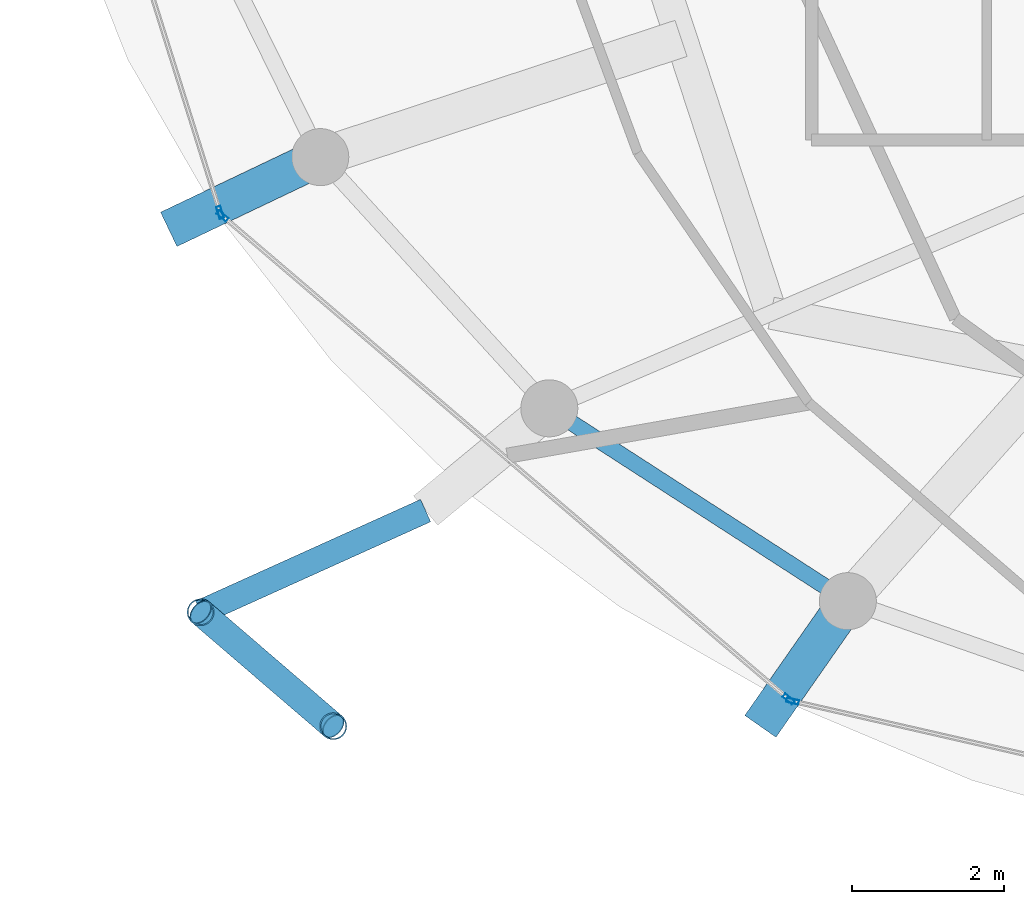
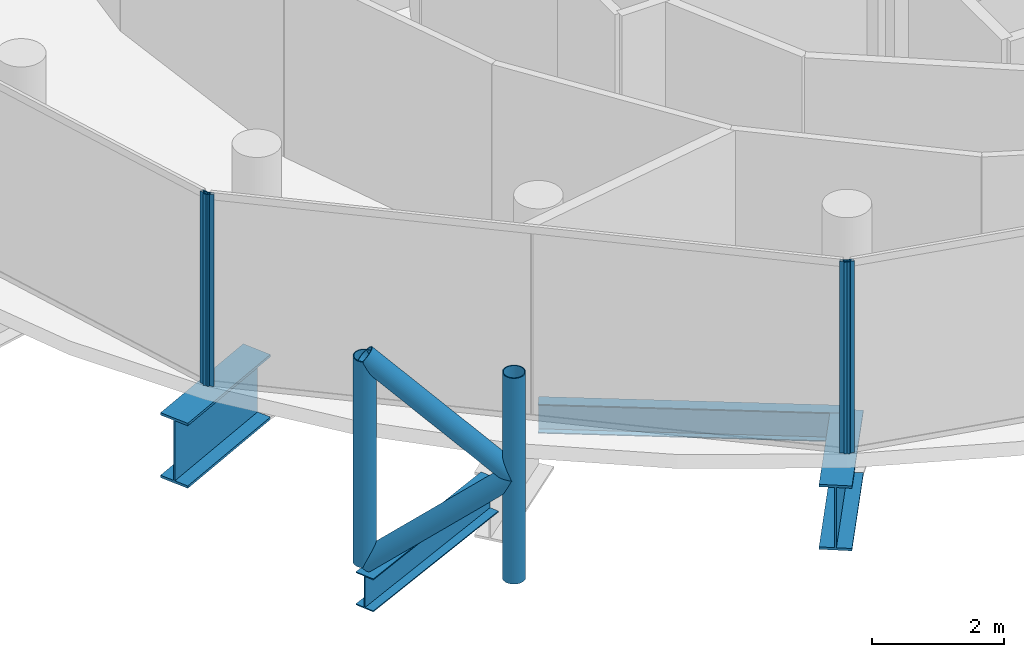
# One storey, part 2 of 25: 8 members, 4 beams, 3 elements without a shape of their own.
"""IFC4 building model written with IfcOpenShell, lengths in metres."""

from ifc_helpers import new_model, si_unit, direction, frame, origin, origin_2d, place, context, subcontext, project, spatial, hollow_rectangle, hollow_circle, i_section, extrude, material, layer, layer_set, material_profile, profile_set, type_object, element, aggregate, save


model = new_model("IFC4")

# Units and contexts
model_context = context("Model", 3, precision=1e-05, world=origin(), true_north=direction((0.0, 1.0)))
body_context = subcontext(model_context, "Body", "Model", "MODEL_VIEW")
ifc_project = project(units=[si_unit("LENGTHUNIT", "METRE"), si_unit("AREAUNIT", "SQUARE_METRE"), si_unit("VOLUMEUNIT", "CUBIC_METRE"), si_unit("PLANEANGLEUNIT", "RADIAN"), si_unit("MASSUNIT", "GRAM", prefix="KILO")], contexts=[model_context])

# Site, building, storey
site_placement = place(None, origin())
site = spatial("IfcSite", under=ifc_project, at=site_placement, CompositionType="ELEMENT")
building_placement = place(site_placement, origin())
building = spatial("IfcBuilding", under=site, at=building_placement, Name="Nuhasar Tower", CompositionType="ELEMENT")
storey_placement = place(building_placement, frame((0.0, 0.0, 255.60009765625)))
storey = spatial("IfcBuildingStorey", under=building, at=storey_placement, Name="L63", CompositionType="ELEMENT", Elevation=255.60009765625)

# Beams
ifc_material_1 = material(Name="Steel S355", Category="steel")
ifc_material_profile_1 = material_profile(ifc_material_1, i_section(OverallWidth=0.2099609375, OverallDepth=0.537109375, WebThickness=0.010986328125, FlangeThickness=0.017333984375, at=origin_2d()), Name="W21X68")
ifc_profile_set_1 = profile_set([ifc_material_profile_1], Name="Steel S355")
beam_type_1 = type_object("IfcBeamType", Name="BM-RING-W21X68", PredefinedType="SPANDREL", material=ifc_profile_set_1)
beam_1_placement = place(storey_placement, frame((25.60009765625, 15.52197265625, -0.528076171875), z_axis=(0.840025485934, -0.542546940809, 0.0), x_axis=(0.542546940809, 0.840025485934, 0.0)))
element("IfcBeam", 1, at=beam_1_placement, inside=storey, type_object=beam_type_1, Name="L63 Perimeter Ring Spandrel 16", PredefinedType="SPANDREL", context=body_context, shape_type="SweptSolid", body=[
    extrude(i_section(OverallWidth=0.2099609375, OverallDepth=0.537109375, WebThickness=0.010986328125, FlangeThickness=0.017333984375, at=origin_2d()), origin(), (0.0, 0.0, 1.0), 4.67236328125),
])
ifc_material_profile_2 = material_profile(ifc_material_1, i_section(OverallWidth=0.323974609375, OverallDepth=0.611083984375, WebThickness=0.0126953125, FlangeThickness=0.01904296875, at=origin_2d()), Name="W24X104")
ifc_profile_set_2 = profile_set([ifc_material_profile_2], Name="Steel S355")
beam_type_2 = type_object("IfcBeamType", Name="BM-TIE-W24X104", PredefinedType="BEAM", material=ifc_profile_set_2)
beam_2_placement = place(storey_placement, frame((23.97412109375, 14.177978515625, -0.565185546875), z_axis=(-0.911363318082, -0.411602845538, 0.0), x_axis=(0.411602845538, -0.911363318082, 0.0)))
element("IfcBeam", 2, at=beam_2_placement, inside=storey, type_object=beam_type_2, Name="L63 Exoskeleton Node Tie Beam 08", PredefinedType="BEAM", context=body_context, shape_type="SweptSolid", body=[
    extrude(i_section(OverallWidth=0.323974609375, OverallDepth=0.611083984375, WebThickness=0.0126953125, FlangeThickness=0.01904296875, at=origin_2d()), origin(), (0.0, 0.0, 1.0), 3.24560546875),
])
ifc_material_2 = material(Name="Steel S460", Category="steel")
ifc_material_profile_3 = material_profile(ifc_material_2, i_section(OverallWidth=0.5, OverallDepth=1.199951171875, WebThickness=0.02587890625, FlangeThickness=0.044921875, at=origin_2d()), Name="PG1200X500")
ifc_profile_set_3 = profile_set([ifc_material_profile_3], Name="Steel S460")
beam_type_3 = type_object("IfcBeamType", Name="BM-XFER-PG1200", PredefinedType="USERDEFINED", material=ifc_profile_set_3)
beam_3_placement = place(storey_placement, frame((29.52490234375, 12.987060546875, -0.860107421875), z_axis=(-0.57269500694, -0.819768521612, 0.0), x_axis=(0.819768521612, -0.57269500694, 0.0)))
element("IfcBeam", 3, at=beam_3_placement, inside=storey, type_object=beam_type_3, Name="L63 Outer Column Step Transfer Girder 17", ObjectType="GIRDER", PredefinedType="USERDEFINED", context=body_context, shape_type="SweptSolid", body=[
    extrude(i_section(OverallWidth=0.5, OverallDepth=1.199951171875, WebThickness=0.02587890625, FlangeThickness=0.044921875, at=origin_2d()), origin(), (0.0, 0.0, 1.0), 2.0078125),
])
beam_4_placement = place(storey_placement, frame((22.589111328125, 18.824951171875, -0.860107421875), z_axis=(-0.902633434253, -0.430410133906, 0.0), x_axis=(0.430410133906, -0.902633434253, 0.0)))
element("IfcBeam", 4, at=beam_4_placement, inside=storey, type_object=beam_type_3, Name="L63 Outer Column Step Transfer Girder 15", ObjectType="GIRDER", PredefinedType="USERDEFINED", context=body_context, shape_type="SweptSolid", body=[
    extrude(i_section(OverallWidth=0.5, OverallDepth=1.199951171875, WebThickness=0.02587890625, FlangeThickness=0.044921875, at=origin_2d()), origin(), (0.0, 0.0, 1.0), 2.20703125),
])

# Curtain wall, member
ifc_material_3 = material(Name="Aluminium 6063-T6", Category="aluminium")
ifc_layer = layer(ifc_material_3, 0.18994140625)
ifc_layer_set = layer_set([ifc_layer], Name="Aluminium 6063-T6")
curtain_wall_type = type_object("IfcCurtainWallType", Name="CW-Z4-PEN", PredefinedType="NOTDEFINED", material=ifc_layer_set)
curtain_wall_1_placement = place(storey_placement, origin())
curtain_wall_1 = element("IfcCurtainWall", 5, at=curtain_wall_1_placement, inside=storey, type_object=curtain_wall_type, Name="L63 Unitised Curtain Wall 07", PredefinedType="NOTDEFINED")
ifc_material_profile_4 = material_profile(ifc_material_3, hollow_rectangle(XDim=0.06005859375, YDim=0.1650390625, WallThickness=0.0048828125, at=origin_2d()), Name="CWM-5")
ifc_profile_set_4 = profile_set([ifc_material_profile_4], Name="Aluminium 6063-T6")
member_type_1 = type_object("IfcMemberType", Name="CW-MUL-S5", PredefinedType="MULLION", material=ifc_profile_set_4)
member_1_placement = place(storey_placement, frame((21.27197265625, 18.0986328125, 0.0), z_axis=(0.0, 0.0, 1.0), x_axis=(0.954078526601, 0.299556614146, 0.0)))
member_1 = element("IfcMember", 6, at=member_1_placement, type_object=member_type_1, Name="CW-Z4 mullion 2", PredefinedType="MULLION", context=body_context, shape_type="SweptSolid", body=[
    extrude(hollow_rectangle(XDim=0.06005859375, YDim=0.1650390625, WallThickness=0.0048828125, at=origin_2d()), origin(), (0.0, 0.0, 1.0), 3.539794921875),
])
aggregate(curtain_wall_1, [member_1])

# Curtain wall, members
curtain_wall_2_placement = place(storey_placement, origin())
curtain_wall_2 = element("IfcCurtainWall", 7, at=curtain_wall_2_placement, inside=storey, type_object=curtain_wall_type, Name="L63 Unitised Curtain Wall 08", PredefinedType="NOTDEFINED")
member_2_placement = place(storey_placement, frame((21.3037109375, 18.050537109375, 0.0), z_axis=(0.0, 0.0, 1.0), x_axis=(0.649141996205, 0.760667252327, 0.0)))
member_2 = element("IfcMember", 8, at=member_2_placement, type_object=member_type_1, Name="CW-Z4 mullion 1", PredefinedType="MULLION", context=body_context, shape_type="SweptSolid", body=[
    extrude(hollow_rectangle(XDim=0.06005859375, YDim=0.1650390625, WallThickness=0.0048828125, at=origin_2d()), origin(), (0.0, 0.0, 1.0), 3.539794921875),
])
member_3_placement = place(storey_placement, frame((28.7470703125, 11.698486328125, 0.0), z_axis=(0.0, 0.0, 1.0), x_axis=(0.649141996205, 0.760667252327, 0.0)))
member_3 = element("IfcMember", 9, at=member_3_placement, type_object=member_type_1, Name="CW-Z4 mullion 2", PredefinedType="MULLION", context=body_context, shape_type="SweptSolid", body=[
    extrude(hollow_rectangle(XDim=0.06005859375, YDim=0.1650390625, WallThickness=0.0048828125, at=origin_2d()), origin(), (0.0, 0.0, 1.0), 3.539794921875),
])
aggregate(curtain_wall_2, [member_2, member_3])

# Curtain wall, member
curtain_wall_3_placement = place(storey_placement, origin())
curtain_wall_3 = element("IfcCurtainWall", 10, at=curtain_wall_3_placement, inside=storey, type_object=curtain_wall_type, Name="L63 Unitised Curtain Wall 09", PredefinedType="NOTDEFINED")
member_4_placement = place(storey_placement, frame((28.79931640625, 11.67236328125, 0.0), z_axis=(0.0, 0.0, 1.0), x_axis=(0.222889487645, 0.97484371891, 0.0)))
member_4 = element("IfcMember", 11, at=member_4_placement, type_object=member_type_1, Name="CW-Z4 mullion 1", PredefinedType="MULLION", context=body_context, shape_type="SweptSolid", body=[
    extrude(hollow_rectangle(XDim=0.06005859375, YDim=0.1650390625, WallThickness=0.0048828125, at=origin_2d()), origin(), (0.0, 0.0, 1.0), 3.539794921875),
])
aggregate(curtain_wall_3, [member_4])

# Members
ifc_material_profile_5 = material_profile(ifc_material_2, hollow_circle(Radius=0.177734375, WallThickness=0.015869140625, at=origin_2d()), Name="HSS355.6X15.9")
ifc_profile_set_5 = profile_set([ifc_material_profile_5], Name="Steel S460")
member_type_2 = type_object("IfcMemberType", Name="EXO-BRONZE-356", PredefinedType="BRACE", material=ifc_profile_set_5)
for number, where, z_axis, x_axis, name in (
    (12, (21.01611328125, 12.842041015625, 0.0), (0.0, 0.0, 1.0), (1.0, 0.0, 0.0), "L63 Exoskeleton Chord Column EC-08A"),
    (13, (22.760009765625, 11.343017578125, 0.0), (0.0, 0.0, 1.0), (1.0, 0.0, 0.0), "L63 Exoskeleton Chord Column EC-08B"),
):
    element("IfcMember", number, at=place(storey_placement, frame(where, z_axis=z_axis, x_axis=x_axis)), inside=storey, type_object=member_type_2, Name=name, PredefinedType="BRACE", context=body_context, shape_type="SweptSolid", body=[
        extrude(hollow_circle(Radius=0.177734375, WallThickness=0.015869140625, at=origin_2d()), origin(), (0.0, 0.0, 1.0), 3.7998046875),
    ])
for number, where, z_axis, x_axis, name in (
    (14, (21.01611328125, 12.842041015625, 0.0), (0.584625223306, -0.502533791278, 0.636924749792), (0.65185738425, 0.758341579104, 0.0), "L63 Bronze Diagrid Brace W1-08"),
    (15, (22.760009765625, 11.343017578125, 1.89990234375), (-0.584625223306, 0.502533791278, 0.636924749792), (-0.65185738425, -0.758341579104, 0.0), "L63 Bronze Diagrid Brace W2-08"),
):
    element("IfcMember", number, at=place(storey_placement, frame(where, z_axis=z_axis, x_axis=x_axis)), inside=storey, type_object=member_type_2, Name=name, PredefinedType="BRACE", context=body_context, shape_type="SweptSolid", body=[
        extrude(hollow_circle(Radius=0.177734375, WallThickness=0.015869140625, at=origin_2d()), origin(), (0.0, 0.0, 1.0), 2.98291015625),
    ])

save(model, "model.ifc")
